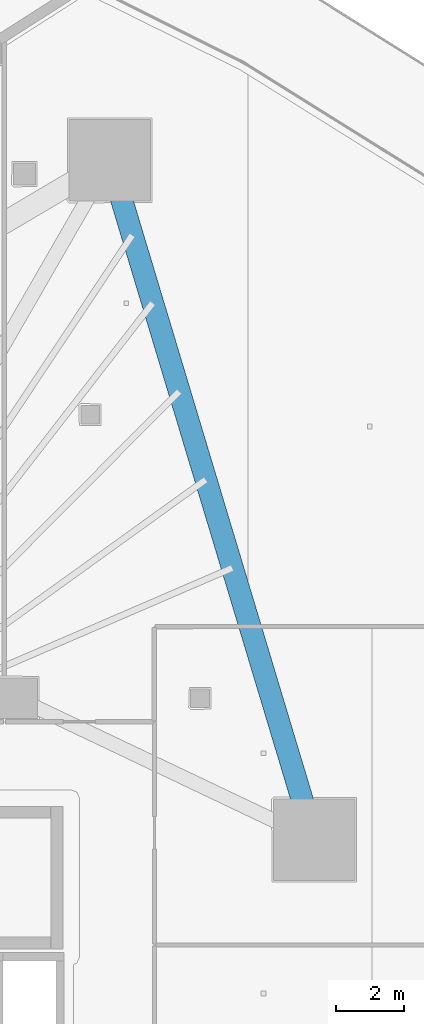
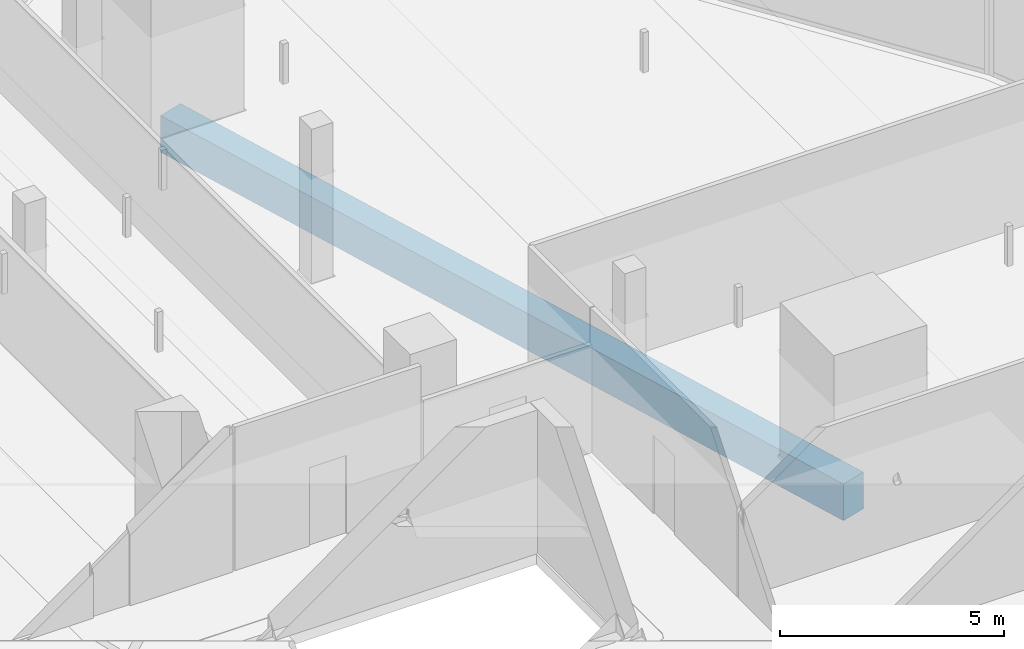
# One storey, part 20 of 44: 1 beam.
"""IFC4 building model written with IfcOpenShell, lengths in metres."""

import ifcopenshell
import ifcopenshell.guid

model = None  # the IFC model being written
_history = None  # IfcOwnerHistory: only IFC2X3 demands one
_inside = {}  # id of a spatial element -> (the spatial element, [elements in it])
_under = {}  # id of a project, library or spatial element -> (it, [spatial elements below it])
_declared = {}  # id of a project -> (the project, [libraries it declares])
_typed = {}  # id of a type object -> (the type object, [elements of that type])
_made_of = {}  # id of a material, layer set ... -> (it, [elements and type objects made of it])


def new_model(schema):
    """Start an empty IFC model of exactly this schema.

    Asked for "IFC4X3", IfcOpenShell would pick the latest addendum, in which some entities
    have other attributes; the version numbers below select the first issue.
    IFC2X3 requires an IfcOwnerHistory on every rooted entity: one is made here for all.
    """
    global model, _history
    if schema == "IFC4X3":
        model = ifcopenshell.file(schema_version=(4, 3, 0, 0))
    else:
        model = ifcopenshell.file(schema=schema)
    _inside.clear()
    _under.clear()
    _declared.clear()
    _typed.clear()
    _made_of.clear()
    _history = None
    if model.schema == "IFC2X3":
        org = make("IfcOrganization", Name="unknown")
        user = make(
            "IfcPersonAndOrganization",
            ThePerson=make("IfcPerson", FamilyName="unknown"),
            TheOrganization=org,
        )
        app = make(
            "IfcApplication",
            ApplicationDeveloper=org,
            Version="unknown",
            ApplicationFullName="unknown",
            ApplicationIdentifier="unknown",
        )
        _history = make(
            "IfcOwnerHistory",
            OwningUser=user,
            OwningApplication=app,
            ChangeAction="ADDED",
            CreationDate=0,
        )
    return model


def make(cls, **values):
    """One entity of the class cls with the attributes given. An attribute that is None is left unset."""
    return model.create_entity(
        cls, **{name: value for name, value in values.items() if value is not None}
    )


def rooted(cls, **values):
    """An entity with a GlobalId (a new one), such as an element, a storey or a relation."""
    return make(cls, GlobalId=ifcopenshell.guid.new(), OwnerHistory=_history, **values)


def si_unit(unit_type, name, prefix=None):
    """IfcSIUnit, for example si_unit("LENGTHUNIT", "METRE", prefix="MILLI")."""
    return make("IfcSIUnit", UnitType=unit_type, Prefix=prefix, Name=name)


def assignment(units):
    """IfcUnitAssignment: the units of a project."""
    return None if units is None else make("IfcUnitAssignment", Units=units)


def point(xyz):
    """IfcCartesianPoint."""
    return None if xyz is None else make("IfcCartesianPoint", Coordinates=xyz)


def direction(xyz):
    """IfcDirection."""
    return None if xyz is None else make("IfcDirection", DirectionRatios=xyz)


def frame(location, z_axis=None, x_axis=None):
    """IfcAxis2Placement3D, a coordinate frame: its origin and axes. An axis left out is left unset."""
    return make(
        "IfcAxis2Placement3D",
        Location=point(location),
        Axis=direction(z_axis),
        RefDirection=direction(x_axis),
    )


def frame_2d(location, x_axis=None):
    """IfcAxis2Placement2D, a coordinate frame in the plane: its origin and x axis."""
    return make(
        "IfcAxis2Placement2D", Location=point(location), RefDirection=direction(x_axis)
    )


def origin():
    """The frame at (0, 0, 0) with its axes left unset."""
    return frame((0.0, 0.0, 0.0))


def origin_2d():
    """The frame at (0, 0) in the plane with its x axis left unset."""
    return frame_2d((0.0, 0.0))


def place(relative_to, where):
    """IfcLocalPlacement: puts the frame where relative to a parent placement (None: the world)."""
    return make(
        "IfcLocalPlacement", PlacementRelTo=relative_to, RelativePlacement=where
    )


def context(
    kind, dimensions, precision=None, world=None, true_north=None, identifier=None
):
    """IfcGeometricRepresentationContext, for example the 3D "Model" context."""
    return make(
        "IfcGeometricRepresentationContext",
        ContextIdentifier=identifier,
        ContextType=kind,
        CoordinateSpaceDimension=dimensions,
        Precision=precision,
        WorldCoordinateSystem=world,
        TrueNorth=true_north,
    )


def subcontext(parent, identifier, kind, view, scale=None):
    """IfcGeometricRepresentationSubContext, for example "Body" below "Model"."""
    return make(
        "IfcGeometricRepresentationSubContext",
        ContextIdentifier=identifier,
        ContextType=kind,
        ParentContext=parent,
        TargetScale=scale,
        TargetView=view,
    )


def project(units=None, contexts=None):
    """IfcProject with its units and contexts."""
    return rooted(
        "IfcProject",
        Name="project",
        RepresentationContexts=contexts,
        UnitsInContext=assignment(units),
    )


def spatial(cls, under=None, at=None, **own):
    """A site, building, storey or space (cls), placed at a placement, below another one or the project."""
    s = rooted(cls, ObjectPlacement=at, **own)
    if under is not None:
        _under.setdefault(under.id(), (under, []))[1].append(s)
    return s


def profile(cls, at=None, kind="AREA", **sizes):
    """A parametric profile (cls). Its sizes go by their IFC names, for example OverallWidth=200.0."""
    return make(cls, ProfileType=kind, Position=at, **sizes)


def rectangle(**sizes):
    """IfcRectangleProfileDef."""
    return profile("IfcRectangleProfileDef", **sizes)


def extrude(swept, where, along, depth):
    """IfcExtrudedAreaSolid: the profile swept, set in the frame where, extruded along a direction by depth."""
    return make(
        "IfcExtrudedAreaSolid",
        SweptArea=swept,
        Position=where,
        ExtrudedDirection=direction(along),
        Depth=depth,
    )


def shape(context_of_items, identifier, shape_type, items):
    """IfcShapeRepresentation: the items that make up one representation, for example the "Body"."""
    return make(
        "IfcShapeRepresentation",
        ContextOfItems=context_of_items,
        RepresentationIdentifier=identifier,
        RepresentationType=shape_type,
        Items=items,
    )


def material(Name=None, Category=None):
    """IfcMaterial."""
    return make("IfcMaterial", Name=Name, Category=Category)


def material_profile(
    of_material, cross_section, Name=None, Category=None, Priority=None
):
    """IfcMaterialProfile: a cross section and its material."""
    return make(
        "IfcMaterialProfile",
        Name=Name,
        Material=of_material,
        Profile=cross_section,
        Priority=Priority,
        Category=Category,
    )


def profile_set(profiles, Name=None, composite=None):
    """IfcMaterialProfileSet."""
    return make(
        "IfcMaterialProfileSet",
        Name=Name,
        MaterialProfiles=profiles,
        CompositeProfile=composite,
    )


def made_of(thing, what):
    """Note that an element or type object is made of a material, layer set ...; save() writes the relation."""
    if what is not None:
        _made_of.setdefault(what.id(), (what, []))[1].append(thing)
    return thing


def type_object(cls, material=None, **own):
    """A type object (cls), such as IfcWallType, which elements share."""
    return made_of(rooted(cls, **own), material)


def element(
    cls,
    number,
    at=None,
    inside=None,
    cuts=None,
    type_object=None,
    material=None,
    context=None,
    identifier="Body",
    shape_type=None,
    held_by="IfcProductDefinitionShape",
    body=None,
    shapes=None,
    **own,
):
    """One element of the class cls, such as IfcWall. Its Tag is "e" and its number.

    at: its placement. inside: the storey or other place that contains it. cuts: it is an
    opening in that element (IfcRelVoidsElement). A single representation is given by context,
    identifier, shape_type and body (its items); several are given by shapes. held_by: the class
    of the entity that holds the representations. save() writes the other relations.
    """
    e = rooted(cls, Tag="e%d" % number, ObjectPlacement=at, **own)
    if body is not None:
        shapes = [shape(context, identifier, shape_type, body)]
    if shapes is not None:
        e.Representation = make(held_by, Representations=shapes)
    if inside is not None:
        _inside.setdefault(inside.id(), (inside, []))[1].append(e)
    if cuts is not None:
        rooted(
            "IfcRelVoidsElement", RelatingBuildingElement=cuts, RelatedOpeningElement=e
        )
    if type_object is not None:
        _typed.setdefault(type_object.id(), (type_object, []))[1].append(e)
    return made_of(e, material)


def aggregate(whole, parts):
    """IfcRelAggregates: a whole, such as a stair, and the parts it consists of."""
    return rooted("IfcRelAggregates", RelatingObject=whole, RelatedObjects=parts)


def save(model, path):
    """Write the relations noted so far, then the file.

    IfcRelAggregates (storeys below a building ...), IfcRelContainedInSpatialStructure (elements
    in a storey), IfcRelDefinesByType, IfcRelAssociatesMaterial and IfcRelDeclares: one each for
    every whole, place, type object, material and project.
    """
    for whole, parts in _under.values():
        aggregate(whole, parts)
    for where, things in _inside.values():
        rooted(
            "IfcRelContainedInSpatialStructure",
            RelatedElements=things,
            RelatingStructure=where,
        )
    for kind, things in _typed.values():
        rooted("IfcRelDefinesByType", RelatedObjects=things, RelatingType=kind)
    for what, things in _made_of.values():
        rooted("IfcRelAssociatesMaterial", RelatedObjects=things, RelatingMaterial=what)
    for by, libraries in _declared.values():
        rooted("IfcRelDeclares", RelatingContext=by, RelatedDefinitions=libraries)
    model.write(path)


model = new_model("IFC4")

# Units and contexts
model_context = context("Model", 3, precision=1e-05, world=origin(), true_north=direction((0.0, 1.0)))
body_context = subcontext(model_context, "Body", "Model", "MODEL_VIEW")
ifc_project = project(units=[si_unit("LENGTHUNIT", "METRE"), si_unit("AREAUNIT", "SQUARE_METRE"), si_unit("VOLUMEUNIT", "CUBIC_METRE"), si_unit("PLANEANGLEUNIT", "RADIAN"), si_unit("MASSUNIT", "GRAM", prefix="KILO")], contexts=[model_context])

# Site, building, storey
site_placement = place(None, origin())
site = spatial("IfcSite", under=ifc_project, at=site_placement, CompositionType="ELEMENT")
building_placement = place(site_placement, origin())
building = spatial("IfcBuilding", under=site, at=building_placement, Name="Qorvath Tower", CompositionType="ELEMENT")
storey_placement = place(building_placement, frame((0.0, 0.0, 70.199951171875)))
storey = spatial("IfcBuildingStorey", under=building, at=storey_placement, Name="L15", CompositionType="ELEMENT", Elevation=70.199951171875)

# Beam
ifc_material = material(Name="Concrete C50/60", Category="concrete")
ifc_material_profile = material_profile(ifc_material, rectangle(XDim=0.64990234375, YDim=1.0, at=origin_2d()), Name="RCB 1000x650")
ifc_profile_set = profile_set([ifc_material_profile], Name="Concrete C50/60")
beam_type = type_object("IfcBeamType", Name="BM-RCB1", PredefinedType="SPANDREL", material=ifc_profile_set)
beam_placement = place(storey_placement, frame((-8.430419921875, 7.2763671875, -0.780029296875), z_axis=(-0.288118908799, 0.957594639914, 0.0), x_axis=(-0.957594639914, -0.288118908799, 0.0)))
element("IfcBeam", 1, at=beam_placement, inside=storey, type_object=beam_type, Name="Perimeter Loggia Frame Beam MC5-MC6 L15", PredefinedType="SPANDREL", context=body_context, shape_type="SweptSolid", body=[
    extrude(rectangle(XDim=0.64990234375, YDim=1.0, at=origin_2d()), origin(), (0.0, 0.0, 1.0), 20.942626953125),
])

save(model, "model.ifc")
